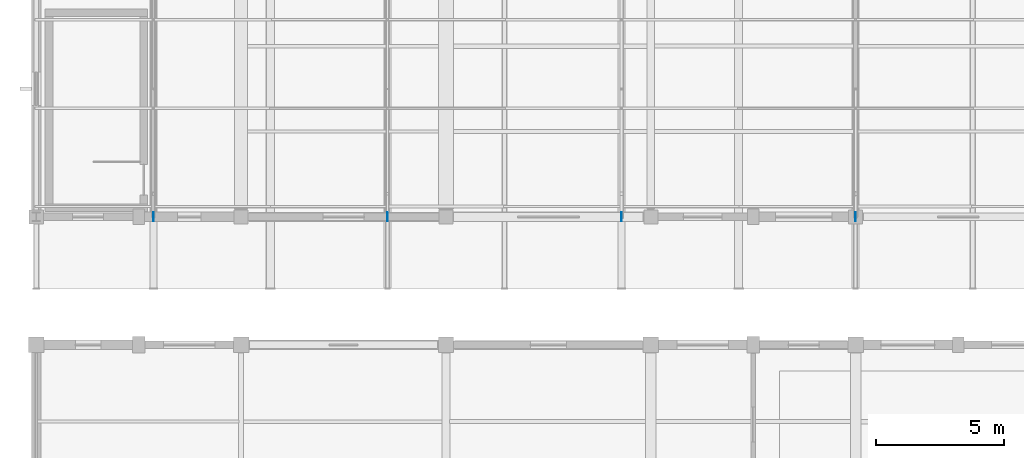
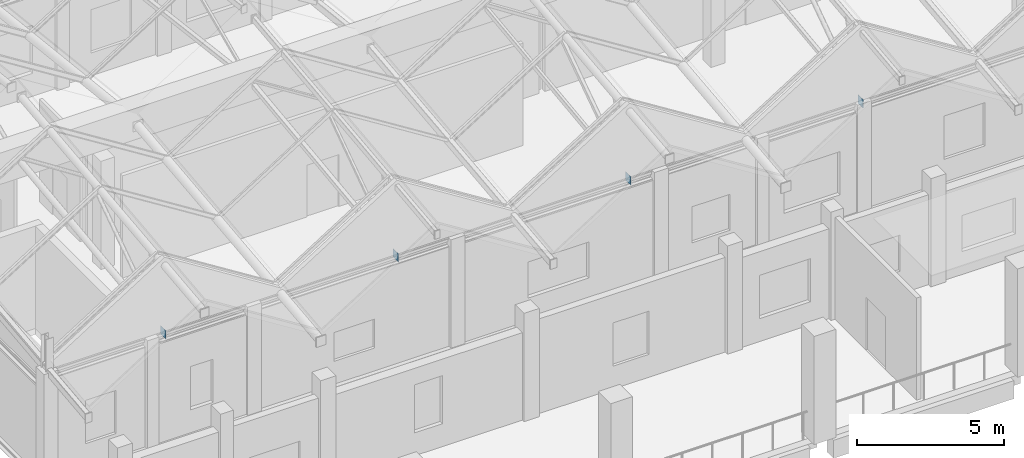
# One storey, part 132 of 183: 4 plates.
"""IFC4 building model written with IfcOpenShell, lengths in metres."""

from ifc_helpers import new_model, si_unit, direction, frame, origin, origin_2d, place, context, subcontext, project, spatial, rectangle, extrude, material, layer, layer_set, type_object, element, save


model = new_model("IFC4")

# Units and contexts
model_context = context("Model", 3, precision=1e-05, world=origin(), true_north=direction((0.0, 1.0)))
body_context = subcontext(model_context, "Body", "Model", "MODEL_VIEW")
ifc_project = project(units=[si_unit("LENGTHUNIT", "METRE"), si_unit("AREAUNIT", "SQUARE_METRE"), si_unit("VOLUMEUNIT", "CUBIC_METRE"), si_unit("PLANEANGLEUNIT", "RADIAN"), si_unit("MASSUNIT", "GRAM", prefix="KILO")], contexts=[model_context])

# Site, building, storey
site_placement = place(None, origin())
site = spatial("IfcSite", under=ifc_project, at=site_placement, CompositionType="ELEMENT")
building_placement = place(site_placement, origin())
building = spatial("IfcBuilding", under=site, at=building_placement, Name="Luwemba Playhouse", CompositionType="ELEMENT")
storey_placement = place(building_placement, frame((0.0, 0.0, 4.800048828125)))
storey = spatial("IfcBuildingStorey", under=building, at=storey_placement, Name="L01", CompositionType="ELEMENT", Elevation=4.800048828125)

# Plates
ifc_material = material(Name="Steel S355", Category="steel")
ifc_layer = layer(ifc_material, 0.02001953125)
ifc_layer_set = layer_set([ifc_layer], Name="Steel S355")
plate_type = type_object("IfcPlateType", Name="PLT-GP2", PredefinedType="USERDEFINED", material=ifc_layer_set)
for number, where, z_axis, x_axis, name in (
    (1, (8.5712890625, 95.0, 4.22998046875), (0.0, 0.0, 1.0), (1.0, 0.0, 0.0), "Truss node gusset cap plate 0154"),
    (2, (17.71435546875, 95.0, 4.22998046875), (0.0, 0.0, 1.0), (1.0, 0.0, 0.0), "Truss node gusset cap plate 0157"),
    (3, (26.857177734375, 95.0, 4.22998046875), (0.0, 0.0, 1.0), (1.0, 0.0, 0.0), "Truss node gusset cap plate 0160"),
    (4, (36.0, 95.0, 4.22998046875), (0.0, 0.0, 1.0), (1.0, 0.0, 0.0), "Truss node gusset cap plate 0163"),
):
    element("IfcPlate", number, at=place(storey_placement, frame(where, z_axis=z_axis, x_axis=x_axis)), inside=storey, type_object=plate_type, Name=name, ObjectType="GUSSET PLATE", PredefinedType="USERDEFINED", context=body_context, shape_type="SweptSolid", body=[
        extrude(rectangle(XDim=0.02001953125, YDim=0.340087890625, at=origin_2d()), origin(), (0.0, 0.0, 1.0), 0.340087890625),
    ])

save(model, "model.ifc")
